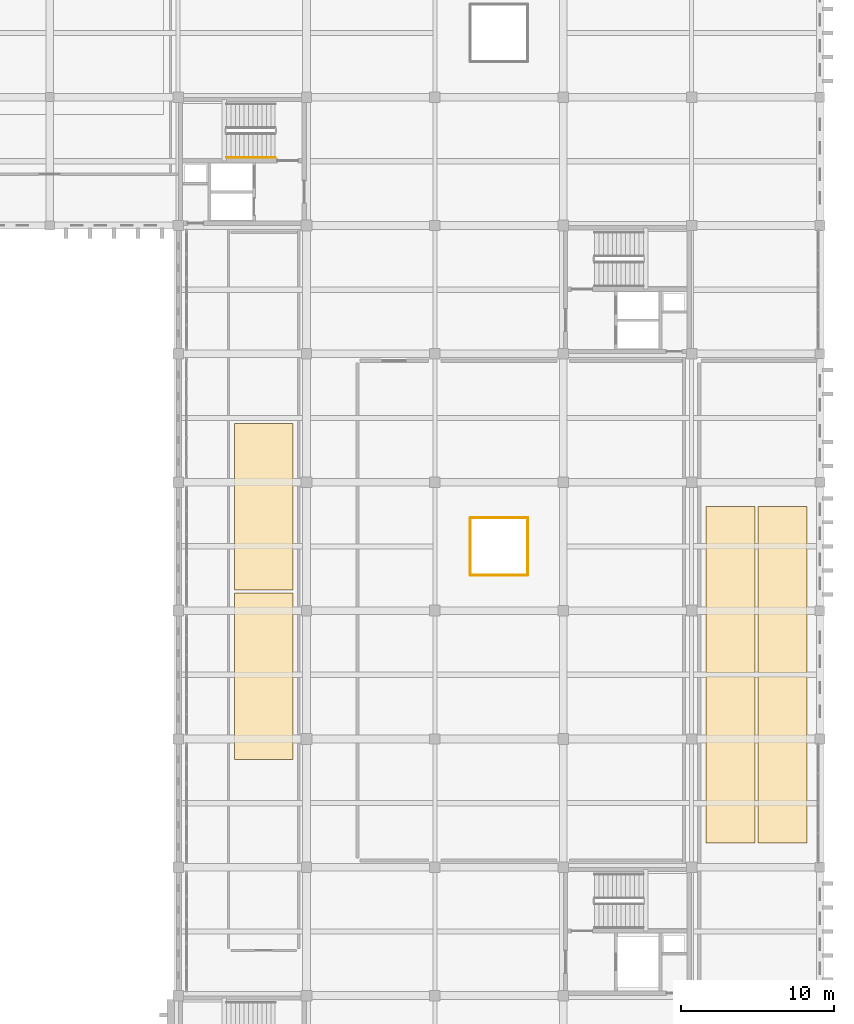
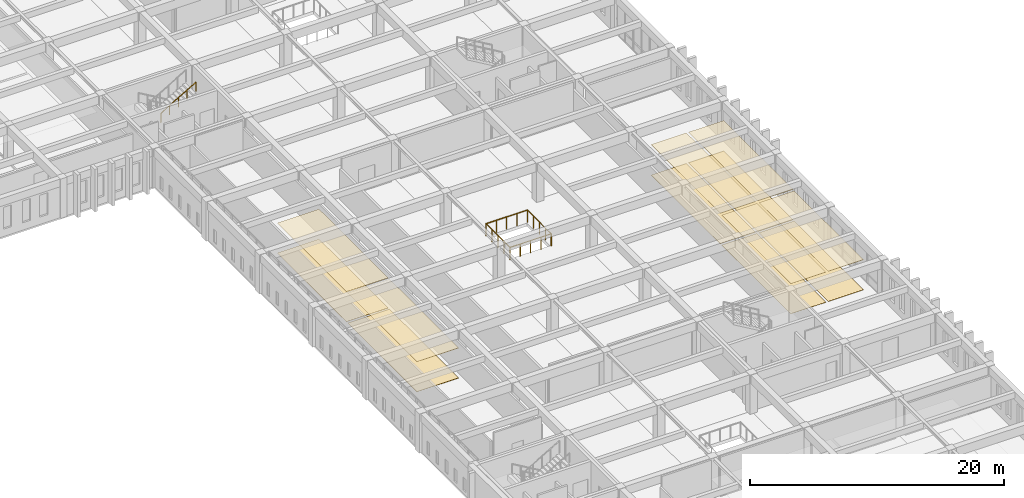
# One storey, part 108 of 110: 12 coverings, 5 railings.
"""IFC4 building model written with IfcOpenShell, lengths in metres."""

from ifc_helpers import new_model, si_unit, direction, frame, origin, origin_2d, place, context, subcontext, project, spatial, rectangle, circle, extrude, material, layer, layer_set, type_object, element, save


model = new_model("IFC4")

# Units and contexts
model_context = context("Model", 3, precision=1e-05, world=origin(), true_north=direction((0.0, 1.0)))
body_context = subcontext(model_context, "Body", "Model", "MODEL_VIEW")
ifc_project = project(units=[si_unit("LENGTHUNIT", "METRE"), si_unit("AREAUNIT", "SQUARE_METRE"), si_unit("VOLUMEUNIT", "CUBIC_METRE"), si_unit("PLANEANGLEUNIT", "RADIAN"), si_unit("MASSUNIT", "GRAM", prefix="KILO")], contexts=[model_context])

# Site, building, storey
site_placement = place(None, origin())
site = spatial("IfcSite", under=ifc_project, at=site_placement, CompositionType="ELEMENT")
building_placement = place(site_placement, origin())
building = spatial("IfcBuilding", under=site, at=building_placement, Name="Kveldsbrygga Polytechnic", CompositionType="ELEMENT")
storey_placement = place(building_placement, frame((0.0, 0.0, 9.860107421875)))
storey = spatial("IfcBuildingStorey", under=building, at=storey_placement, Name="L02", CompositionType="ELEMENT", Elevation=9.860107421875)

# Coverings
ifc_material_1 = material(Name="Acoustic mineral baffle ceiling")
ifc_layer_1 = layer(ifc_material_1, 0.030029296875)
ifc_layer_set_1 = layer_set([ifc_layer_1], Name="Acoustic mineral baffle ceiling")
covering_type_1 = type_object("IfcCoveringType", Name="COV-CEIL-AC30", PredefinedType="CEILING", material=ifc_layer_set_1)
for number, where, z_axis, x_axis, name in (
    (1, (162.14990234375, 49.050048828125, 2.8798828125), (0.0, 0.0, 1.0), (1.0, 0.0, 0.0), "Acoustic Ceiling SP-L02-LAB21-WS"),
    (2, (162.14990234375, 60.14990234375, 2.919921875), (0.0, 0.0, 1.0), (1.0, 0.0, 0.0), "Acoustic Ceiling SP-L02-LAB21-WN"),
    (3, (165.550048828125, 49.050048828125, 2.8798828125), (0.0, 0.0, 1.0), (1.0, 0.0, 0.0), "Acoustic Ceiling SP-L02-LAB21-ES"),
    (4, (165.550048828125, 60.14990234375, 2.919921875), (0.0, 0.0, 1.0), (1.0, 0.0, 0.0), "Acoustic Ceiling SP-L02-LAB21-EN"),
):
    element("IfcCovering", number, at=place(storey_placement, frame(where, z_axis=z_axis, x_axis=x_axis)), inside=storey, type_object=covering_type_1, Name=name, PredefinedType="CEILING", context=body_context, shape_type="SweptSolid", body=[
        extrude(rectangle(XDim=3.199951171875, YDim=10.89990234375, at=origin_2d()), origin(), (0.0, 0.0, 1.0), 0.030029296875),
    ])
for number, where, z_axis, x_axis, name in (
    (5, (131.60009765625, 54.5, 2.8798828125), (0.0, 0.0, 1.0), (1.0, 0.0, 0.0), "Acoustic Ceiling SP-L02-SEM22-S"),
    (6, (131.60009765625, 65.60009765625, 2.8798828125), (0.0, 0.0, 1.0), (1.0, 0.0, 0.0), "Acoustic Ceiling SP-L02-SEM22-N"),
):
    element("IfcCovering", number, at=place(storey_placement, frame(where, z_axis=z_axis, x_axis=x_axis)), inside=storey, type_object=covering_type_1, Name=name, PredefinedType="CEILING", context=body_context, shape_type="SweptSolid", body=[
        extrude(rectangle(XDim=3.800048828125, YDim=10.89990234375, at=origin_2d()), origin(), (0.0, 0.0, 1.0), 0.030029296875),
    ])
ifc_material_2 = material(Name="Heavy-duty quartz-filled epoxy resin flooring")
ifc_layer_2 = layer(ifc_material_2, 0.014892578125)
ifc_layer_set_2 = layer_set([ifc_layer_2], Name="Heavy-duty quartz-filled epoxy resin flooring")
covering_type_2 = type_object("IfcCoveringType", Name="COV-FLR-EPX15", PredefinedType="FLOORING", material=ifc_layer_set_2)
for number, where, z_axis, x_axis, name in (
    (7, (162.14990234375, 49.050048828125, 0.0), (0.0, 0.0, 1.0), (1.0, 0.0, 0.0), "Room Flooring SP-L02-LAB21-WS"),
    (8, (162.14990234375, 60.14990234375, 0.0), (0.0, 0.0, 1.0), (1.0, 0.0, 0.0), "Room Flooring SP-L02-LAB21-WN"),
    (9, (165.550048828125, 49.050048828125, 0.0), (0.0, 0.0, 1.0), (1.0, 0.0, 0.0), "Room Flooring SP-L02-LAB21-ES"),
    (10, (165.550048828125, 60.14990234375, 0.0), (0.0, 0.0, 1.0), (1.0, 0.0, 0.0), "Room Flooring SP-L02-LAB21-EN"),
):
    element("IfcCovering", number, at=place(storey_placement, frame(where, z_axis=z_axis, x_axis=x_axis)), inside=storey, type_object=covering_type_2, Name=name, PredefinedType="FLOORING", context=body_context, shape_type="SweptSolid", body=[
        extrude(rectangle(XDim=3.199951171875, YDim=10.89990234375, at=origin_2d()), origin(), (0.0, 0.0, 1.0), 0.014892578125),
    ])
ifc_material_3 = material(Name="Acoustic oak timber flooring", Category="wood")
ifc_layer_3 = layer(ifc_material_3, 0.02197265625)
ifc_layer_set_3 = layer_set([ifc_layer_3], Name="Acoustic oak timber flooring")
covering_type_3 = type_object("IfcCoveringType", Name="COV-FLR-OAK22", PredefinedType="FLOORING", material=ifc_layer_set_3)
for number, where, z_axis, x_axis, name in (
    (11, (131.60009765625, 54.5, 0.0), (0.0, 0.0, 1.0), (1.0, 0.0, 0.0), "Room Flooring SP-L02-SEM22-S"),
    (12, (131.60009765625, 65.60009765625, 0.0), (0.0, 0.0, 1.0), (1.0, 0.0, 0.0), "Room Flooring SP-L02-SEM22-N"),
):
    element("IfcCovering", number, at=place(storey_placement, frame(where, z_axis=z_axis, x_axis=x_axis)), inside=storey, type_object=covering_type_3, Name=name, PredefinedType="FLOORING", context=body_context, shape_type="SweptSolid", body=[
        extrude(rectangle(XDim=3.800048828125, YDim=10.89990234375, at=origin_2d()), origin(), (0.0, 0.0, 1.0), 0.02197265625),
    ])

# Railings
ifc_material_4 = material(Name="Steel S355", Category="steel")
railing_type_1 = type_object("IfcRailingType", Name="RL-STAIR-HND", PredefinedType="HANDRAIL", material=ifc_material_4)
railing_1_placement = place(storey_placement, frame((129.159912109375, 88.449951171875, 2.2099609375)))
element("IfcRailing", 13, at=railing_1_placement, inside=storey, type_object=railing_type_1, Name="L02 ST-2 stair handrail 2", PredefinedType="HANDRAIL", context=body_context, shape_type="SweptSolid", body=[
    extrude(circle(Radius=0.02392578125, at=origin_2d()), frame((0.0, 0.0, 0.8759765625), z_axis=(0.862725780356, 0.0, 0.505672055693), x_axis=(0.0, 1.0, 0.0)), (0.0, 0.0, 1.0), 3.69775390625),
    extrude(circle(Radius=0.02099609375, at=origin_2d()), origin(), (0.0, 0.0, 1.0), 0.847900390625),
    extrude(circle(Radius=0.02099609375, at=origin_2d()), frame((0.797607421875, 0.0, 0.467529296875)), (0.0, 0.0, 1.0), 0.847900390625),
    extrude(circle(Radius=0.02099609375, at=origin_2d()), frame((1.59521484375, 0.0, 0.93505859375)), (0.0, 0.0, 1.0), 0.847900390625),
    extrude(circle(Radius=0.02099609375, at=origin_2d()), frame((2.392578125, 0.0, 1.40234375)), (0.0, 0.0, 1.0), 0.847900390625),
    extrude(circle(Radius=0.02099609375, at=origin_2d()), frame((3.190185546875, 0.0, 1.869873046875)), (0.0, 0.0, 1.0), 0.847900390625),
])
railing_type_2 = type_object("IfcRailingType", Name="RL-VOID-GRD", PredefinedType="GUARDRAIL", material=ifc_material_4)
railing_2_placement = place(storey_placement, frame((145.1201171875, 61.1201171875, 0.0)))
element("IfcRailing", 14, at=railing_2_placement, inside=storey, type_object=railing_type_2, Name="Atrium Well Guard GRD-L02-WELL-7-S", PredefinedType="GUARDRAIL", context=body_context, shape_type="SweptSolid", body=[
    extrude(circle(Radius=0.02392578125, at=origin_2d()), frame((0.0, 0.0, 1.17578125), z_axis=(1.0, 0.0, 0.0), x_axis=(0.0, 1.0, 0.0)), (0.0, 0.0, 1.0), 3.759765625),
    extrude(circle(Radius=0.02099609375, at=origin_2d()), origin(), (0.0, 0.0, 1.0), 1.14794921875),
    extrude(circle(Radius=0.02099609375, at=origin_2d()), frame((0.93994140625, 0.0, 0.0)), (0.0, 0.0, 1.0), 1.14794921875),
    extrude(circle(Radius=0.02099609375, at=origin_2d()), frame((1.8798828125, 0.0, 0.0)), (0.0, 0.0, 1.0), 1.14794921875),
    extrude(circle(Radius=0.02099609375, at=origin_2d()), frame((2.81982421875, 0.0, 0.0)), (0.0, 0.0, 1.0), 1.14794921875),
    extrude(circle(Radius=0.02099609375, at=origin_2d()), frame((3.759765625, 0.0, 0.0)), (0.0, 0.0, 1.0), 1.14794921875),
])
railing_3_placement = place(storey_placement, frame((148.8798828125, 61.1201171875, 0.0)))
element("IfcRailing", 15, at=railing_3_placement, inside=storey, type_object=railing_type_2, Name="Atrium Well Guard GRD-L02-WELL-7-E", PredefinedType="GUARDRAIL", context=body_context, shape_type="SweptSolid", body=[
    extrude(circle(Radius=0.02392578125, at=origin_2d()), frame((0.0, 0.0, 1.17578125), z_axis=(0.0, 1.0, 0.0), x_axis=(-1.0, 0.0, 0.0)), (0.0, 0.0, 1.0), 3.759765625),
    extrude(circle(Radius=0.02099609375, at=origin_2d()), origin(), (0.0, 0.0, 1.0), 1.14794921875),
    extrude(circle(Radius=0.02099609375, at=origin_2d()), frame((0.0, 0.93994140625, 0.0)), (0.0, 0.0, 1.0), 1.14794921875),
    extrude(circle(Radius=0.02099609375, at=origin_2d()), frame((0.0, 1.8798828125, 0.0)), (0.0, 0.0, 1.0), 1.14794921875),
    extrude(circle(Radius=0.02099609375, at=origin_2d()), frame((0.0, 2.81982421875, 0.0)), (0.0, 0.0, 1.0), 1.14794921875),
    extrude(circle(Radius=0.02099609375, at=origin_2d()), frame((0.0, 3.759765625, 0.0)), (0.0, 0.0, 1.0), 1.14794921875),
])
railing_4_placement = place(storey_placement, frame((148.8798828125, 64.8798828125, 0.0)))
element("IfcRailing", 16, at=railing_4_placement, inside=storey, type_object=railing_type_2, Name="Atrium Well Guard GRD-L02-WELL-7-N", PredefinedType="GUARDRAIL", context=body_context, shape_type="SweptSolid", body=[
    extrude(circle(Radius=0.02392578125, at=origin_2d()), frame((0.0, 0.0, 1.17578125), z_axis=(-1.0, 0.0, 0.0), x_axis=(0.0, -1.0, 0.0)), (0.0, 0.0, 1.0), 3.759765625),
    extrude(circle(Radius=0.02099609375, at=origin_2d()), origin(), (0.0, 0.0, 1.0), 1.14794921875),
    extrude(circle(Radius=0.02099609375, at=origin_2d()), frame((-0.93994140625, 0.0, 0.0)), (0.0, 0.0, 1.0), 1.14794921875),
    extrude(circle(Radius=0.02099609375, at=origin_2d()), frame((-1.8798828125, 0.0, 0.0)), (0.0, 0.0, 1.0), 1.14794921875),
    extrude(circle(Radius=0.02099609375, at=origin_2d()), frame((-2.81982421875, 0.0, 0.0)), (0.0, 0.0, 1.0), 1.14794921875),
    extrude(circle(Radius=0.02099609375, at=origin_2d()), frame((-3.759765625, 0.0, 0.0)), (0.0, 0.0, 1.0), 1.14794921875),
])
railing_5_placement = place(storey_placement, frame((145.1201171875, 64.8798828125, 0.0)))
element("IfcRailing", 17, at=railing_5_placement, inside=storey, type_object=railing_type_2, Name="Atrium Well Guard GRD-L02-WELL-7-W", PredefinedType="GUARDRAIL", context=body_context, shape_type="SweptSolid", body=[
    extrude(circle(Radius=0.02392578125, at=origin_2d()), frame((0.0, 0.0, 1.17578125), z_axis=(0.0, -1.0, 0.0), x_axis=(1.0, 0.0, 0.0)), (0.0, 0.0, 1.0), 3.759765625),
    extrude(circle(Radius=0.02099609375, at=origin_2d()), origin(), (0.0, 0.0, 1.0), 1.14794921875),
    extrude(circle(Radius=0.02099609375, at=origin_2d()), frame((0.0, -0.93994140625, 0.0)), (0.0, 0.0, 1.0), 1.14794921875),
    extrude(circle(Radius=0.02099609375, at=origin_2d()), frame((0.0, -1.8798828125, 0.0)), (0.0, 0.0, 1.0), 1.14794921875),
    extrude(circle(Radius=0.02099609375, at=origin_2d()), frame((0.0, -2.81982421875, 0.0)), (0.0, 0.0, 1.0), 1.14794921875),
    extrude(circle(Radius=0.02099609375, at=origin_2d()), frame((0.0, -3.759765625, 0.0)), (0.0, 0.0, 1.0), 1.14794921875),
])

save(model, "model.ifc")
